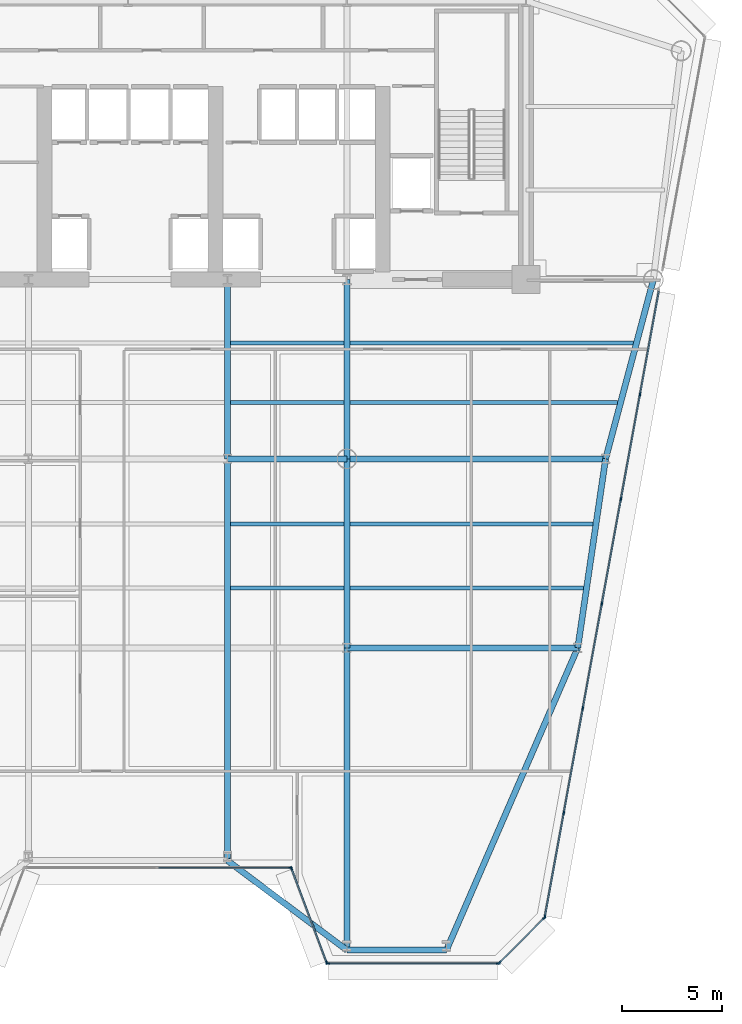
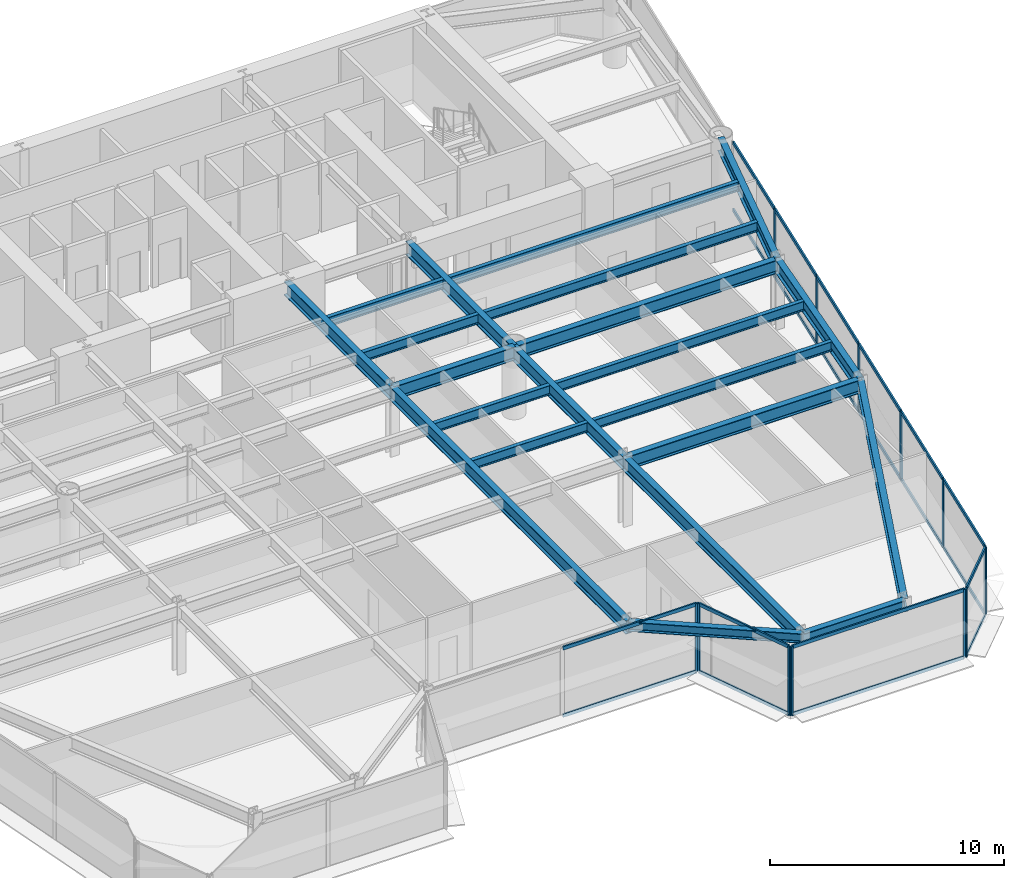
# One storey, part 4 of 14: 33 members, 21 beams, 5 elements without a shape of their own.
"""IFC4 building model written with IfcOpenShell, lengths in metres."""

from ifc_helpers import new_model, si_unit, direction, frame, origin, origin_2d, place, context, subcontext, project, spatial, rectangle, i_section, extrude, source, transform, mapped, material, layer, layer_set, material_profile, profile_set, type_object, element, aggregate, save


model = new_model("IFC4")

# Units and contexts
model_context = context("Model", 3, precision=1e-05, world=origin(), true_north=direction((0.0, 1.0)))
body_context = subcontext(model_context, "Body", "Model", "MODEL_VIEW")
ifc_project = project(units=[si_unit("LENGTHUNIT", "METRE"), si_unit("AREAUNIT", "SQUARE_METRE"), si_unit("VOLUMEUNIT", "CUBIC_METRE"), si_unit("PLANEANGLEUNIT", "RADIAN"), si_unit("MASSUNIT", "GRAM", prefix="KILO")], contexts=[model_context])

# Site, building, storey
site_placement = place(None, origin())
site = spatial("IfcSite", under=ifc_project, at=site_placement, CompositionType="ELEMENT")
building_placement = place(site_placement, origin())
building = spatial("IfcBuilding", under=site, at=building_placement, Name="Vaeldorn Concourse Tower", CompositionType="ELEMENT")
storey_placement = place(building_placement, frame((0.0, 0.0, 111.0)))
storey = spatial("IfcBuildingStorey", under=building, at=storey_placement, Name="L28", CompositionType="ELEMENT", Elevation=111.0)

# Beams
ifc_material_1 = material(Name="Steel S355", Category="steel")
ifc_material_profile_1 = material_profile(ifc_material_1, i_section(OverallWidth=0.199951171875, OverallDepth=0.5, WebThickness=0.01025390625, FlangeThickness=0.01611328125, FilletRadius=0.02099609375, at=origin_2d()), Name="IPE 500")
ifc_profile_set_1 = profile_set([ifc_material_profile_1], Name="Steel S355")
beam_type_1 = type_object("IfcBeamType", Name="BM-JS-IPE500", PredefinedType="JOIST", material=ifc_profile_set_1)
shared_shape_1 = source(origin(), body_context, "Body", "SweptSolid", [
    extrude(i_section(OverallWidth=0.199951171875, OverallDepth=0.5, WebThickness=0.01025390625, FlangeThickness=0.01611328125, FilletRadius=0.02099609375, at=origin_2d()), origin(), (0.0, 0.0, 1.0), 5.7001953125),
])
for number, where, z_axis, x_axis, name in (
    (1, (39.14990234375, 21.02001953125, 3.330078125), (1.0, 0.0, 0.0), (0.0, 1.0, 0.0), "Beam JS-L28-E2-210"),
    (2, (39.14990234375, 24.219970703125, 3.330078125), (1.0, 0.0, 0.0), (0.0, 1.0, 0.0), "Beam JS-L28-E2-242"),
    (3, (39.14990234375, 30.320068359375, 3.330078125), (1.0, 0.0, 0.0), (0.0, 1.0, 0.0), "Beam JS-L28-E2-303"),
    (4, (39.14990234375, 33.320068359375, 3.330078125), (1.0, 0.0, 0.0), (0.0, 1.0, 0.0), "Beam JS-L28-E2-333"),
):
    element("IfcBeam", number, at=place(storey_placement, frame(where, z_axis=z_axis, x_axis=x_axis)), inside=storey, type_object=beam_type_1, Name=name, PredefinedType="JOIST", context=body_context, shape_type="MappedRepresentation", body=[
        mapped(shared_shape_1, transform((0.0, 0.0, 0.0), scale=1.0)),
    ])
shared_shape_2 = source(origin(), body_context, "Body", "SweptSolid", [
    extrude(i_section(OverallWidth=0.199951171875, OverallDepth=0.5, WebThickness=0.01025390625, FlangeThickness=0.01611328125, FilletRadius=0.02099609375, at=origin_2d()), origin(), (0.0, 0.0, 1.0), 11.7451171875),
])
beam_1_placement = place(storey_placement, frame((45.14990234375, 21.02001953125, 3.330078125), z_axis=(1.0, 0.0, 0.0), x_axis=(0.0, 1.0, 0.0)))
element("IfcBeam", 5, at=beam_1_placement, inside=storey, type_object=beam_type_1, Name="Beam JS-L28-E1-210", PredefinedType="JOIST", context=body_context, shape_type="MappedRepresentation", body=[
    mapped(shared_shape_2, transform((0.0, 0.0, 0.0), scale=1.0)),
])
shared_shape_3 = source(origin(), body_context, "Body", "SweptSolid", [
    extrude(i_section(OverallWidth=0.199951171875, OverallDepth=0.5, WebThickness=0.01025390625, FlangeThickness=0.01611328125, FilletRadius=0.02099609375, at=origin_2d()), origin(), (0.0, 0.0, 1.0), 12.216796875),
])
beam_2_placement = place(storey_placement, frame((45.14990234375, 24.219970703125, 3.330078125), z_axis=(1.0, 0.0, 0.0), x_axis=(0.0, 1.0, 0.0)))
element("IfcBeam", 6, at=beam_2_placement, inside=storey, type_object=beam_type_1, Name="Beam JS-L28-E1-242", PredefinedType="JOIST", context=body_context, shape_type="MappedRepresentation", body=[
    mapped(shared_shape_3, transform((0.0, 0.0, 0.0), scale=1.0)),
])
shared_shape_4 = source(origin(), body_context, "Body", "SweptSolid", [
    extrude(i_section(OverallWidth=0.199951171875, OverallDepth=0.5, WebThickness=0.01025390625, FlangeThickness=0.01611328125, FilletRadius=0.02099609375, at=origin_2d()), origin(), (0.0, 0.0, 1.0), 13.4521484375),
])
beam_3_placement = place(storey_placement, frame((45.14990234375, 30.320068359375, 3.330078125), z_axis=(1.0, 0.0, 0.0), x_axis=(0.0, 1.0, 0.0)))
element("IfcBeam", 7, at=beam_3_placement, inside=storey, type_object=beam_type_1, Name="Beam JS-L28-E1-303", PredefinedType="JOIST", context=body_context, shape_type="MappedRepresentation", body=[
    mapped(shared_shape_4, transform((0.0, 0.0, 0.0), scale=1.0)),
])
shared_shape_5 = source(origin(), body_context, "Body", "SweptSolid", [
    extrude(i_section(OverallWidth=0.199951171875, OverallDepth=0.5, WebThickness=0.01025390625, FlangeThickness=0.01611328125, FilletRadius=0.02099609375, at=origin_2d()), origin(), (0.0, 0.0, 1.0), 14.252197265625),
])
beam_4_placement = place(storey_placement, frame((45.14990234375, 33.320068359375, 3.330078125), z_axis=(1.0, 0.0, 0.0), x_axis=(0.0, 1.0, 0.0)))
element("IfcBeam", 8, at=beam_4_placement, inside=storey, type_object=beam_type_1, Name="Beam JS-L28-E1-333", PredefinedType="JOIST", context=body_context, shape_type="MappedRepresentation", body=[
    mapped(shared_shape_5, transform((0.0, 0.0, 0.0), scale=1.0)),
])
ifc_material_profile_2 = material_profile(ifc_material_1, i_section(OverallWidth=0.300048828125, OverallDepth=0.699951171875, WebThickness=0.01708984375, FlangeThickness=0.031982421875, FilletRadius=0.027099609375, at=origin_2d()), Name="HEB 700")
ifc_profile_set_2 = profile_set([ifc_material_profile_2], Name="Steel S355")
beam_type_2 = type_object("IfcBeamType", Name="BM-PG-HEB700", PredefinedType="BEAM", material=ifc_profile_set_2)
shared_shape_6 = source(origin(), body_context, "Body", "SweptSolid", [
    extrude(i_section(OverallWidth=0.300048828125, OverallDepth=0.699951171875, WebThickness=0.01708984375, FlangeThickness=0.031982421875, FilletRadius=0.027099609375, at=origin_2d()), origin(), (0.0, 0.0, 1.0), 6.0),
])
beam_5_placement = place(storey_placement, frame((39.0, 27.5, 3.22998046875), z_axis=(1.0, 0.0, 0.0), x_axis=(0.0, 1.0, 0.0)))
element("IfcBeam", 9, at=beam_5_placement, inside=storey, type_object=beam_type_2, Name="Beam BM-L28-C-TW3-C-TW4", PredefinedType="BEAM", context=body_context, shape_type="MappedRepresentation", body=[
    mapped(shared_shape_6, transform((0.0, 0.0, 0.0), scale=1.0)),
])
shared_shape_7 = source(origin(), body_context, "Body", "SweptSolid", [
    extrude(i_section(OverallWidth=0.300048828125, OverallDepth=0.699951171875, WebThickness=0.01708984375, FlangeThickness=0.031982421875, FilletRadius=0.027099609375, at=origin_2d()), origin(), (0.0, 0.0, 1.0), 9.0),
])
for number, where, z_axis, x_axis, name in (
    (10, (39.0, 27.5, 3.22998046875), (0.0, 1.0, 0.0), (-1.0, 0.0, 0.0), "Beam BM-L28-C-TW3-C-FC4"),
    (11, (45.0, 27.5, 3.22998046875), (0.0, 1.0, 0.0), (-1.0, 0.0, 0.0), "Beam BM-L28-C-TW4-C-FC5"),
):
    element("IfcBeam", number, at=place(storey_placement, frame(where, z_axis=z_axis, x_axis=x_axis)), inside=storey, type_object=beam_type_2, Name=name, PredefinedType="BEAM", context=body_context, shape_type="MappedRepresentation", body=[
        mapped(shared_shape_7, transform((0.0, 0.0, 0.0), scale=1.0)),
    ])
shared_shape_8 = source(origin(), body_context, "Body", "SweptSolid", [
    extrude(i_section(OverallWidth=0.300048828125, OverallDepth=0.699951171875, WebThickness=0.01708984375, FlangeThickness=0.031982421875, FilletRadius=0.027099609375, at=origin_2d()), origin(), (0.0, 0.0, 1.0), 9.314453125),
])
beam_6_placement = place(storey_placement, frame((60.39990234375, 36.5, 3.22998046875), z_axis=(-0.257652862255, -0.966237549763, 0.0), x_axis=(0.966237549763, -0.257652862255, 0.0)))
element("IfcBeam", 12, at=beam_6_placement, inside=storey, type_object=beam_type_2, Name="Beam BM-L28-C-NE2-C-FLE1", PredefinedType="BEAM", context=body_context, shape_type="MappedRepresentation", body=[
    mapped(shared_shape_8, transform((0.0, 0.0, 0.0), scale=1.0)),
])
shared_shape_9 = source(origin(), body_context, "Body", "SweptSolid", [
    extrude(i_section(OverallWidth=0.300048828125, OverallDepth=0.699951171875, WebThickness=0.01708984375, FlangeThickness=0.031982421875, FilletRadius=0.027099609375, at=origin_2d()), origin(), (0.0, 0.0, 1.0), 13.0),
])
beam_7_placement = place(storey_placement, frame((45.0, 27.5, 3.22998046875), z_axis=(1.0, 0.0, 0.0), x_axis=(0.0, 1.0, 0.0)))
element("IfcBeam", 13, at=beam_7_placement, inside=storey, type_object=beam_type_2, Name="Beam BM-L28-C-TW4-C-FLE1", PredefinedType="BEAM", context=body_context, shape_type="MappedRepresentation", body=[
    mapped(shared_shape_9, transform((0.0, 0.0, 0.0), scale=1.0)),
])
ifc_material_profile_3 = material_profile(ifc_material_1, i_section(OverallWidth=0.300048828125, OverallDepth=0.5, WebThickness=0.014404296875, FlangeThickness=0.028076171875, FilletRadius=0.027099609375, at=origin_2d()), Name="HEB 500")
ifc_profile_set_3 = profile_set([ifc_material_profile_3], Name="Steel S355")
beam_type_3 = type_object("IfcBeamType", Name="BM-SP-HEB500", PredefinedType="SPANDREL", material=ifc_profile_set_3)
shared_shape_10 = source(origin(), body_context, "Body", "SweptSolid", [
    extrude(i_section(OverallWidth=0.300048828125, OverallDepth=0.5, WebThickness=0.014404296875, FlangeThickness=0.028076171875, FilletRadius=0.027099609375, at=origin_2d()), origin(), (0.0, 0.0, 1.0), 5.0),
])
beam_8_placement = place(storey_placement, frame((45.0, 2.8125, 3.330078125), z_axis=(1.0, 0.0, 0.0), x_axis=(0.0, 1.0, 0.0)))
element("IfcBeam", 14, at=beam_8_placement, inside=storey, type_object=beam_type_3, Name="Beam BM-L28-C-SF5-C-SF6", PredefinedType="SPANDREL", context=body_context, shape_type="MappedRepresentation", body=[
    mapped(shared_shape_10, transform((0.0, 0.0, 0.0), scale=1.0)),
])
shared_shape_11 = source(origin(), body_context, "Body", "SweptSolid", [
    extrude(i_section(OverallWidth=0.300048828125, OverallDepth=0.5, WebThickness=0.014404296875, FlangeThickness=0.028076171875, FilletRadius=0.027099609375, at=origin_2d()), origin(), (0.0, 0.0, 1.0), 7.5),
])
beam_9_placement = place(storey_placement, frame((39.0, 7.3125, 3.330078125), z_axis=(0.8, -0.6, 0.0), x_axis=(0.6, 0.8, 0.0)))
element("IfcBeam", 15, at=beam_9_placement, inside=storey, type_object=beam_type_3, Name="Beam BM-L28-C-SF4-C-SF5", PredefinedType="SPANDREL", context=body_context, shape_type="MappedRepresentation", body=[
    mapped(shared_shape_11, transform((0.0, 0.0, 0.0), scale=1.0)),
])
shared_shape_12 = source(origin(), body_context, "Body", "SweptSolid", [
    extrude(i_section(OverallWidth=0.300048828125, OverallDepth=0.699951171875, WebThickness=0.01708984375, FlangeThickness=0.031982421875, FilletRadius=0.027099609375, at=origin_2d()), origin(), (0.0, 0.0, 1.0), 9.6025390625),
])
beam_10_placement = place(storey_placement, frame((58.0, 27.5, 3.22998046875), z_axis=(-0.145783835977, -0.989316467652, 0.0), x_axis=(0.989316467652, -0.145783835977, 0.0)))
element("IfcBeam", 16, at=beam_10_placement, inside=storey, type_object=beam_type_2, Name="Beam BM-L28-C-FLE1-C-FLE2", PredefinedType="BEAM", context=body_context, shape_type="MappedRepresentation", body=[
    mapped(shared_shape_12, transform((0.0, 0.0, 0.0), scale=1.0)),
])
shared_shape_13 = source(origin(), body_context, "Body", "SweptSolid", [
    extrude(i_section(OverallWidth=0.300048828125, OverallDepth=0.699951171875, WebThickness=0.01708984375, FlangeThickness=0.031982421875, FilletRadius=0.027099609375, at=origin_2d()), origin(), (0.0, 0.0, 1.0), 11.60009765625),
])
beam_11_placement = place(storey_placement, frame((45.0, 18.0, 3.22998046875), z_axis=(1.0, 0.0, 0.0), x_axis=(0.0, 1.0, 0.0)))
element("IfcBeam", 17, at=beam_11_placement, inside=storey, type_object=beam_type_2, Name="Beam BM-L28-C-TW6-C-FLE2", PredefinedType="BEAM", context=body_context, shape_type="MappedRepresentation", body=[
    mapped(shared_shape_13, transform((0.0, 0.0, 0.0), scale=1.0)),
])
shared_shape_14 = source(origin(), body_context, "Body", "SweptSolid", [
    extrude(i_section(OverallWidth=0.300048828125, OverallDepth=0.699951171875, WebThickness=0.01708984375, FlangeThickness=0.031982421875, FilletRadius=0.027099609375, at=origin_2d()), origin(), (0.0, 0.0, 1.0), 9.5),
])
beam_12_placement = place(storey_placement, frame((45.0, 18.0, 3.22998046875), z_axis=(0.0, 1.0, 0.0), x_axis=(-1.0, 0.0, 0.0)))
element("IfcBeam", 18, at=beam_12_placement, inside=storey, type_object=beam_type_2, Name="Beam BM-L28-C-TW6-C-TW4", PredefinedType="BEAM", context=body_context, shape_type="MappedRepresentation", body=[
    mapped(shared_shape_14, transform((0.0, 0.0, 0.0), scale=1.0)),
])
shared_shape_15 = source(origin(), body_context, "Body", "SweptSolid", [
    extrude(i_section(OverallWidth=0.300048828125, OverallDepth=0.699951171875, WebThickness=0.01708984375, FlangeThickness=0.031982421875, FilletRadius=0.027099609375, at=origin_2d()), origin(), (0.0, 0.0, 1.0), 16.5595703125),
])
beam_13_placement = place(storey_placement, frame((50.0, 2.8125, 3.22998046875), z_axis=(0.398565454531, 0.917139890341, 0.0), x_axis=(-0.917139890341, 0.398565454531, 0.0)))
element("IfcBeam", 19, at=beam_13_placement, inside=storey, type_object=beam_type_2, Name="Beam BM-L28-C-SF6-C-FLE2", PredefinedType="BEAM", context=body_context, shape_type="MappedRepresentation", body=[
    mapped(shared_shape_15, transform((0.0, 0.0, 0.0), scale=1.0)),
])
shared_shape_16 = source(origin(), body_context, "Body", "SweptSolid", [
    extrude(i_section(OverallWidth=0.300048828125, OverallDepth=0.699951171875, WebThickness=0.01708984375, FlangeThickness=0.031982421875, FilletRadius=0.027099609375, at=origin_2d()), origin(), (0.0, 0.0, 1.0), 15.1875),
])
beam_14_placement = place(storey_placement, frame((45.0, 2.8125, 3.22998046875), z_axis=(0.0, 1.0, 0.0), x_axis=(-1.0, 0.0, 0.0)))
element("IfcBeam", 20, at=beam_14_placement, inside=storey, type_object=beam_type_2, Name="Beam BM-L28-C-SF5-C-TW6", PredefinedType="BEAM", context=body_context, shape_type="MappedRepresentation", body=[
    mapped(shared_shape_16, transform((0.0, 0.0, 0.0), scale=1.0)),
])
shared_shape_17 = source(origin(), body_context, "Body", "SweptSolid", [
    extrude(i_section(OverallWidth=0.300048828125, OverallDepth=0.699951171875, WebThickness=0.01708984375, FlangeThickness=0.031982421875, FilletRadius=0.027099609375, at=origin_2d()), origin(), (0.0, 0.0, 1.0), 20.1875),
])
beam_15_placement = place(storey_placement, frame((39.0, 7.3125, 3.22998046875), z_axis=(0.0, 1.0, 0.0), x_axis=(-1.0, 0.0, 0.0)))
element("IfcBeam", 21, at=beam_15_placement, inside=storey, type_object=beam_type_2, Name="Beam BM-L28-C-SF4-C-TW3", PredefinedType="BEAM", context=body_context, shape_type="MappedRepresentation", body=[
    mapped(shared_shape_17, transform((0.0, 0.0, 0.0), scale=1.0)),
])

# Curtain wall, members
ifc_material_2 = material(Name="Anodised Bronze Aluminium", Category="aluminium")
ifc_layer = layer(ifc_material_2, 0.199951171875)
ifc_layer_set = layer_set([ifc_layer], Name="Anodised Bronze Aluminium")
curtain_wall_type = type_object("IfcCurtainWallType", Name="CW-SYS-02", PredefinedType="NOTDEFINED", material=ifc_layer_set)
curtain_wall_1_placement = place(storey_placement, origin())
curtain_wall_1 = element("IfcCurtainWall", 22, at=curtain_wall_1_placement, inside=storey, type_object=curtain_wall_type, Name="Unitised Curtain Wall CW-L28-E03-1", PredefinedType="NOTDEFINED")
ifc_material_profile_4 = material_profile(ifc_material_2, rectangle(XDim=0.074951171875, YDim=0.179931640625, at=origin_2d()), Name="CWT 75x180")
ifc_profile_set_4 = profile_set([ifc_material_profile_4], Name="Anodised Bronze Aluminium")
member_type_1 = type_object("IfcMemberType", Name="CWT-BRONZE-180", PredefinedType="USERDEFINED", material=ifc_profile_set_4)
shared_shape_18 = source(origin(), body_context, "Body", "SweptSolid", [
    extrude(rectangle(XDim=0.074951171875, YDim=0.179931640625, at=origin_2d()), origin(), (0.0, 0.0, 1.0), 6.58740234375),
])
member_1_placement = place(storey_placement, frame((35.53759765625, 6.95166015625, 0.03759765625), z_axis=(1.0, 0.0, 0.0), x_axis=(0.0, 1.0, 0.0)))
member_1 = element("IfcMember", 23, at=member_1_placement, type_object=member_type_1, Name="CW-02 transom 2.1", ObjectType="TRANSOM", PredefinedType="USERDEFINED", context=body_context, shape_type="MappedRepresentation", body=[
    mapped(shared_shape_18, transform((0.0, 0.0, 0.0), scale=1.0)),
])
member_2_placement = place(storey_placement, frame((35.53759765625, 6.95166015625, 3.54248046875), z_axis=(1.0, 0.0, 0.0), x_axis=(0.0, 1.0, 0.0)))
member_2 = element("IfcMember", 24, at=member_2_placement, type_object=member_type_1, Name="CW-02 transom 2.2", ObjectType="TRANSOM", PredefinedType="USERDEFINED", context=body_context, shape_type="MappedRepresentation", body=[
    mapped(shared_shape_18, transform((0.0, 0.0, 0.0), scale=1.0)),
])

curtain_wall_2_placement = place(storey_placement, origin())
curtain_wall_2 = element("IfcCurtainWall", 25, at=curtain_wall_2_placement, inside=storey, type_object=curtain_wall_type, Name="Unitised Curtain Wall CW-L28-E04-1", PredefinedType="NOTDEFINED")
shared_shape_19 = source(origin(), body_context, "Body", "SweptSolid", [
    extrude(rectangle(XDim=0.074951171875, YDim=0.179931640625, at=origin_2d()), origin(), (0.0, 0.0, 1.0), 4.9765625),
])
member_3_placement = place(storey_placement, frame((42.226318359375, 6.881591796875, 0.03759765625), z_axis=(0.351112688987, -0.936333209724, 0.0), x_axis=(0.936333209724, 0.351112688987, 0.0)))
member_3 = element("IfcMember", 26, at=member_3_placement, type_object=member_type_1, Name="CW-02 transom 1.1", ObjectType="TRANSOM", PredefinedType="USERDEFINED", context=body_context, shape_type="MappedRepresentation", body=[
    mapped(shared_shape_19, transform((0.0, 0.0, 0.0), scale=1.0)),
])
member_4_placement = place(storey_placement, frame((42.226318359375, 6.881591796875, 3.54248046875), z_axis=(0.351112688987, -0.936333209724, 0.0), x_axis=(0.936333209724, 0.351112688987, 0.0)))
member_4 = element("IfcMember", 27, at=member_4_placement, type_object=member_type_1, Name="CW-02 transom 1.2", ObjectType="TRANSOM", PredefinedType="USERDEFINED", context=body_context, shape_type="MappedRepresentation", body=[
    mapped(shared_shape_19, transform((0.0, 0.0, 0.0), scale=1.0)),
])

curtain_wall_3_placement = place(storey_placement, origin())
curtain_wall_3 = element("IfcCurtainWall", 28, at=curtain_wall_3_placement, inside=storey, type_object=curtain_wall_type, Name="Unitised Curtain Wall CW-L28-E06-1", PredefinedType="NOTDEFINED")
shared_shape_20 = source(origin(), body_context, "Body", "SweptSolid", [
    extrude(rectangle(XDim=0.074951171875, YDim=0.179931640625, at=origin_2d()), origin(), (0.0, 0.0, 1.0), 3.1025390625),
])
member_5_placement = place(storey_placement, frame((52.693115234375, 2.204833984375, 0.03759765625), z_axis=(0.707106781187, 0.707106781187, 0.0), x_axis=(-0.707106781187, 0.707106781187, 0.0)))
member_5 = element("IfcMember", 29, at=member_5_placement, type_object=member_type_1, Name="CW-02 transom 1.1", ObjectType="TRANSOM", PredefinedType="USERDEFINED", context=body_context, shape_type="MappedRepresentation", body=[
    mapped(shared_shape_20, transform((0.0, 0.0, 0.0), scale=1.0)),
])
member_6_placement = place(storey_placement, frame((52.693115234375, 2.204833984375, 3.54248046875), z_axis=(0.707106781187, 0.707106781187, 0.0), x_axis=(-0.707106781187, 0.707106781187, 0.0)))
member_6 = element("IfcMember", 30, at=member_6_placement, type_object=member_type_1, Name="CW-02 transom 1.2", ObjectType="TRANSOM", PredefinedType="USERDEFINED", context=body_context, shape_type="MappedRepresentation", body=[
    mapped(shared_shape_20, transform((0.0, 0.0, 0.0), scale=1.0)),
])

curtain_wall_4_placement = place(storey_placement, origin())
curtain_wall_4 = element("IfcCurtainWall", 31, at=curtain_wall_4_placement, inside=storey, type_object=curtain_wall_type, Name="Unitised Curtain Wall CW-L28-E05-1", PredefinedType="NOTDEFINED")
shared_shape_21 = source(origin(), body_context, "Body", "SweptSolid", [
    extrude(rectangle(XDim=0.074951171875, YDim=0.179931640625, at=origin_2d()), origin(), (0.0, 0.0, 1.0), 8.489990234375),
])
member_7_placement = place(storey_placement, frame((44.074951171875, 2.151611328125, 0.03759765625), z_axis=(1.0, 0.0, 0.0), x_axis=(0.0, 1.0, 0.0)))
member_7 = element("IfcMember", 32, at=member_7_placement, type_object=member_type_1, Name="CW-02 transom 1.1", ObjectType="TRANSOM", PredefinedType="USERDEFINED", context=body_context, shape_type="MappedRepresentation", body=[
    mapped(shared_shape_21, transform((0.0, 0.0, 0.0), scale=1.0)),
])
member_8_placement = place(storey_placement, frame((44.074951171875, 2.151611328125, 3.54248046875), z_axis=(1.0, 0.0, 0.0), x_axis=(0.0, 1.0, 0.0)))
member_8 = element("IfcMember", 33, at=member_8_placement, type_object=member_type_1, Name="CW-02 transom 1.2", ObjectType="TRANSOM", PredefinedType="USERDEFINED", context=body_context, shape_type="MappedRepresentation", body=[
    mapped(shared_shape_21, transform((0.0, 0.0, 0.0), scale=1.0)),
])

# Member
ifc_material_profile_5 = material_profile(ifc_material_2, rectangle(XDim=0.074951171875, YDim=0.18994140625, at=origin_2d()), Name="CWM 75x190")
ifc_profile_set_5 = profile_set([ifc_material_profile_5], Name="Anodised Bronze Aluminium")
member_type_2 = type_object("IfcMemberType", Name="CWM-BRONZE-190", PredefinedType="MULLION", material=ifc_profile_set_5)
shared_shape_22 = source(origin(), body_context, "Body", "SweptSolid", [
    extrude(rectangle(XDim=0.074951171875, YDim=0.18994140625, at=origin_2d()), origin(), (0.0, 0.0, 1.0), 3.580078125),
])
member_9_placement = place(storey_placement, frame((42.16259765625, 6.95166015625, 0.0), z_axis=(0.0, 0.0, 1.0), x_axis=(0.0, 1.0, 0.0)))
member_9 = element("IfcMember", 34, at=member_9_placement, type_object=member_type_2, Name="CW-02 mullion 3", PredefinedType="MULLION", context=body_context, shape_type="MappedRepresentation", body=[
    mapped(shared_shape_22, transform((0.0, 0.0, 0.0), scale=1.0)),
])

aggregate(curtain_wall_1, [member_9, member_1, member_2])

member_10_placement = place(storey_placement, frame((42.213134765625, 6.91650390625, 0.0), z_axis=(0.0, 0.0, 1.0), x_axis=(0.936329177566, 0.351123441595, 0.0)))
member_10 = element("IfcMember", 35, at=member_10_placement, type_object=member_type_2, Name="CW-02 mullion 1", PredefinedType="MULLION", context=body_context, shape_type="MappedRepresentation", body=[
    mapped(shared_shape_22, transform((0.0, 0.0, 0.0), scale=1.0)),
])

member_11_placement = place(storey_placement, frame((43.98681640625, 2.186767578125, 0.0), z_axis=(0.0, 0.0, 1.0), x_axis=(0.936329177566, 0.351123441595, 0.0)))
member_11 = element("IfcMember", 36, at=member_11_placement, type_object=member_type_2, Name="CW-02 mullion 2", PredefinedType="MULLION", context=body_context, shape_type="MappedRepresentation", body=[
    mapped(shared_shape_22, transform((0.0, 0.0, 0.0), scale=1.0)),
])

aggregate(curtain_wall_2, [member_10, member_11, member_3, member_4])

member_12_placement = place(storey_placement, frame((44.03759765625, 2.151611328125, 0.0), z_axis=(0.0, 0.0, 1.0), x_axis=(0.0, 1.0, 0.0)))
member_12 = element("IfcMember", 37, at=member_12_placement, type_object=member_type_2, Name="CW-02 mullion 1", PredefinedType="MULLION", context=body_context, shape_type="MappedRepresentation", body=[
    mapped(shared_shape_22, transform((0.0, 0.0, 0.0), scale=1.0)),
])

member_13_placement = place(storey_placement, frame((52.6025390625, 2.151611328125, 0.0), z_axis=(0.0, 0.0, 1.0), x_axis=(0.0, 1.0, 0.0)))
member_13 = element("IfcMember", 38, at=member_13_placement, type_object=member_type_2, Name="CW-02 mullion 2", PredefinedType="MULLION", context=body_context, shape_type="MappedRepresentation", body=[
    mapped(shared_shape_22, transform((0.0, 0.0, 0.0), scale=1.0)),
])

aggregate(curtain_wall_4, [member_12, member_13, member_7, member_8])

member_14_placement = place(storey_placement, frame((52.66650390625, 2.17822265625, 0.0), z_axis=(0.0, 0.0, 1.0), x_axis=(-0.707106781187, 0.707106781187, 0.0)))
member_14 = element("IfcMember", 39, at=member_14_placement, type_object=member_type_2, Name="CW-02 mullion 1", PredefinedType="MULLION", context=body_context, shape_type="MappedRepresentation", body=[
    mapped(shared_shape_22, transform((0.0, 0.0, 0.0), scale=1.0)),
])

member_15_placement = place(storey_placement, frame((54.91357421875, 4.42529296875, 0.0), z_axis=(0.0, 0.0, 1.0), x_axis=(-0.707106781187, 0.707106781187, 0.0)))
member_15 = element("IfcMember", 40, at=member_15_placement, type_object=member_type_2, Name="CW-02 mullion 2", PredefinedType="MULLION", context=body_context, shape_type="MappedRepresentation", body=[
    mapped(shared_shape_22, transform((0.0, 0.0, 0.0), scale=1.0)),
])

aggregate(curtain_wall_3, [member_14, member_15, member_5, member_6])

# Curtain wall, members
curtain_wall_5_placement = place(storey_placement, origin())
curtain_wall_5 = element("IfcCurtainWall", 41, at=curtain_wall_5_placement, inside=storey, type_object=curtain_wall_type, Name="Unitised Curtain Wall CW-L28-E07-1", PredefinedType="NOTDEFINED")
member_16_placement = place(storey_placement, frame((54.94677734375, 4.488525390625, 0.0), z_axis=(0.0, 0.0, 1.0), x_axis=(-0.983811547347, 0.179206136352, 0.0)))
member_16 = element("IfcMember", 42, at=member_16_placement, type_object=member_type_2, Name="CW-02 mullion 1", PredefinedType="MULLION", context=body_context, shape_type="MappedRepresentation", body=[
    mapped(shared_shape_22, transform((0.0, 0.0, 0.0), scale=1.0)),
])
member_17_placement = place(storey_placement, frame((55.897216796875, 9.706787109375, 0.0), z_axis=(0.0, 0.0, 1.0), x_axis=(-0.983811547347, 0.179206136352, 0.0)))
member_17 = element("IfcMember", 43, at=member_17_placement, type_object=member_type_2, Name="CW-02 mullion 2", PredefinedType="MULLION", context=body_context, shape_type="MappedRepresentation", body=[
    mapped(shared_shape_22, transform((0.0, 0.0, 0.0), scale=1.0)),
])
member_18_placement = place(storey_placement, frame((56.8544921875, 14.9619140625, 0.0), z_axis=(0.0, 0.0, 1.0), x_axis=(-0.983811547347, 0.179206136352, 0.0)))
member_18 = element("IfcMember", 44, at=member_18_placement, type_object=member_type_2, Name="CW-02 mullion 3", PredefinedType="MULLION", context=body_context, shape_type="MappedRepresentation", body=[
    mapped(shared_shape_22, transform((0.0, 0.0, 0.0), scale=1.0)),
])
member_19_placement = place(storey_placement, frame((57.811767578125, 20.216796875, 0.0), z_axis=(0.0, 0.0, 1.0), x_axis=(-0.983811547347, 0.179206136352, 0.0)))
member_19 = element("IfcMember", 45, at=member_19_placement, type_object=member_type_2, Name="CW-02 mullion 4", PredefinedType="MULLION", context=body_context, shape_type="MappedRepresentation", body=[
    mapped(shared_shape_22, transform((0.0, 0.0, 0.0), scale=1.0)),
])
member_20_placement = place(storey_placement, frame((58.76904296875, 25.471923828125, 0.0), z_axis=(0.0, 0.0, 1.0), x_axis=(-0.983811547347, 0.179206136352, 0.0)))
member_20 = element("IfcMember", 46, at=member_20_placement, type_object=member_type_2, Name="CW-02 mullion 5", PredefinedType="MULLION", context=body_context, shape_type="MappedRepresentation", body=[
    mapped(shared_shape_22, transform((0.0, 0.0, 0.0), scale=1.0)),
])
member_21_placement = place(storey_placement, frame((59.72607421875, 30.72705078125, 0.0), z_axis=(0.0, 0.0, 1.0), x_axis=(-0.983811547347, 0.179206136352, 0.0)))
member_21 = element("IfcMember", 47, at=member_21_placement, type_object=member_type_2, Name="CW-02 mullion 6", PredefinedType="MULLION", context=body_context, shape_type="MappedRepresentation", body=[
    mapped(shared_shape_22, transform((0.0, 0.0, 0.0), scale=1.0)),
])
shared_shape_23 = source(origin(), body_context, "Body", "SweptSolid", [
    extrude(rectangle(XDim=0.074951171875, YDim=0.179931640625, at=origin_2d()), origin(), (0.0, 0.0, 1.0), 5.229248046875),
])
member_22_placement = place(storey_placement, frame((54.953369140625, 4.525390625, 0.03759765625), z_axis=(0.179234652041, 0.983806352647, 0.0), x_axis=(-0.983806352647, 0.179234652041, 0.0)))
member_22 = element("IfcMember", 48, at=member_22_placement, type_object=member_type_1, Name="CW-02 transom 1.1", ObjectType="TRANSOM", PredefinedType="USERDEFINED", context=body_context, shape_type="MappedRepresentation", body=[
    mapped(shared_shape_23, transform((0.0, 0.0, 0.0), scale=1.0)),
])
member_23_placement = place(storey_placement, frame((54.953369140625, 4.525390625, 3.54248046875), z_axis=(0.179234652041, 0.983806352647, 0.0), x_axis=(-0.983806352647, 0.179234652041, 0.0)))
member_23 = element("IfcMember", 49, at=member_23_placement, type_object=member_type_1, Name="CW-02 transom 1.2", ObjectType="TRANSOM", PredefinedType="USERDEFINED", context=body_context, shape_type="MappedRepresentation", body=[
    mapped(shared_shape_23, transform((0.0, 0.0, 0.0), scale=1.0)),
])
shared_shape_24 = source(origin(), body_context, "Body", "SweptSolid", [
    extrude(rectangle(XDim=0.074951171875, YDim=0.179931640625, at=origin_2d()), origin(), (0.0, 0.0, 1.0), 5.266357421875),
])
member_24_placement = place(storey_placement, frame((55.904052734375, 9.74365234375, 0.03759765625), z_axis=(0.179175077507, 0.983817204363, 0.0), x_axis=(-0.983817204363, 0.179175077507, 0.0)))
member_24 = element("IfcMember", 50, at=member_24_placement, type_object=member_type_1, Name="CW-02 transom 2.1", ObjectType="TRANSOM", PredefinedType="USERDEFINED", context=body_context, shape_type="MappedRepresentation", body=[
    mapped(shared_shape_24, transform((0.0, 0.0, 0.0), scale=1.0)),
])
member_25_placement = place(storey_placement, frame((55.904052734375, 9.74365234375, 3.54248046875), z_axis=(0.179175077507, 0.983817204363, 0.0), x_axis=(-0.983817204363, 0.179175077507, 0.0)))
member_25 = element("IfcMember", 51, at=member_25_placement, type_object=member_type_1, Name="CW-02 transom 2.2", ObjectType="TRANSOM", PredefinedType="USERDEFINED", context=body_context, shape_type="MappedRepresentation", body=[
    mapped(shared_shape_24, transform((0.0, 0.0, 0.0), scale=1.0)),
])
member_26_placement = place(storey_placement, frame((56.861083984375, 14.998779296875, 0.03759765625), z_axis=(0.179219947037, 0.983809031563, 0.0), x_axis=(-0.983809031563, 0.179219947037, 0.0)))
member_26 = element("IfcMember", 52, at=member_26_placement, type_object=member_type_1, Name="CW-02 transom 3.1", ObjectType="TRANSOM", PredefinedType="USERDEFINED", context=body_context, shape_type="MappedRepresentation", body=[
    mapped(shared_shape_24, transform((0.0, 0.0, 0.0), scale=1.0)),
])
member_27_placement = place(storey_placement, frame((56.861083984375, 14.998779296875, 3.54248046875), z_axis=(0.179219947037, 0.983809031563, 0.0), x_axis=(-0.983809031563, 0.179219947037, 0.0)))
member_27 = element("IfcMember", 53, at=member_27_placement, type_object=member_type_1, Name="CW-02 transom 3.2", ObjectType="TRANSOM", PredefinedType="USERDEFINED", context=body_context, shape_type="MappedRepresentation", body=[
    mapped(shared_shape_24, transform((0.0, 0.0, 0.0), scale=1.0)),
])
member_28_placement = place(storey_placement, frame((58.775634765625, 25.5087890625, 0.03759765625), z_axis=(0.179219947037, 0.983809031563, 0.0), x_axis=(-0.983809031563, 0.179219947037, 0.0)))
member_28 = element("IfcMember", 54, at=member_28_placement, type_object=member_type_1, Name="CW-02 transom 5.1", ObjectType="TRANSOM", PredefinedType="USERDEFINED", context=body_context, shape_type="MappedRepresentation", body=[
    mapped(shared_shape_24, transform((0.0, 0.0, 0.0), scale=1.0)),
])
member_29_placement = place(storey_placement, frame((58.775634765625, 25.5087890625, 3.54248046875), z_axis=(0.179219947037, 0.983809031563, 0.0), x_axis=(-0.983809031563, 0.179219947037, 0.0)))
member_29 = element("IfcMember", 55, at=member_29_placement, type_object=member_type_1, Name="CW-02 transom 5.2", ObjectType="TRANSOM", PredefinedType="USERDEFINED", context=body_context, shape_type="MappedRepresentation", body=[
    mapped(shared_shape_24, transform((0.0, 0.0, 0.0), scale=1.0)),
])
shared_shape_25 = source(origin(), body_context, "Body", "SweptSolid", [
    extrude(rectangle(XDim=0.074951171875, YDim=0.179931640625, at=origin_2d()), origin(), (0.0, 0.0, 1.0), 5.2666015625),
])
member_30_placement = place(storey_placement, frame((57.818359375, 20.253662109375, 0.03759765625), z_axis=(0.179211773648, 0.983810520469, 0.0), x_axis=(-0.983810520469, 0.179211773648, 0.0)))
member_30 = element("IfcMember", 56, at=member_30_placement, type_object=member_type_1, Name="CW-02 transom 4.1", ObjectType="TRANSOM", PredefinedType="USERDEFINED", context=body_context, shape_type="MappedRepresentation", body=[
    mapped(shared_shape_25, transform((0.0, 0.0, 0.0), scale=1.0)),
])
member_31_placement = place(storey_placement, frame((57.818359375, 20.253662109375, 3.54248046875), z_axis=(0.179211773648, 0.983810520469, 0.0), x_axis=(-0.983810520469, 0.179211773648, 0.0)))
member_31 = element("IfcMember", 57, at=member_31_placement, type_object=member_type_1, Name="CW-02 transom 4.2", ObjectType="TRANSOM", PredefinedType="USERDEFINED", context=body_context, shape_type="MappedRepresentation", body=[
    mapped(shared_shape_25, transform((0.0, 0.0, 0.0), scale=1.0)),
])
shared_shape_26 = source(origin(), body_context, "Body", "SweptSolid", [
    extrude(rectangle(XDim=0.074951171875, YDim=0.179931640625, at=origin_2d()), origin(), (0.0, 0.0, 1.0), 5.22900390625),
])
member_32_placement = place(storey_placement, frame((59.73291015625, 30.763916015625, 0.03759765625), z_axis=(0.17919769448, 0.983813085039, 0.0), x_axis=(-0.983813085039, 0.17919769448, 0.0)))
member_32 = element("IfcMember", 58, at=member_32_placement, type_object=member_type_1, Name="CW-02 transom 6.1", ObjectType="TRANSOM", PredefinedType="USERDEFINED", context=body_context, shape_type="MappedRepresentation", body=[
    mapped(shared_shape_26, transform((0.0, 0.0, 0.0), scale=1.0)),
])
member_33_placement = place(storey_placement, frame((59.73291015625, 30.763916015625, 3.54248046875), z_axis=(0.17919769448, 0.983813085039, 0.0), x_axis=(-0.983813085039, 0.17919769448, 0.0)))
member_33 = element("IfcMember", 59, at=member_33_placement, type_object=member_type_1, Name="CW-02 transom 6.2", ObjectType="TRANSOM", PredefinedType="USERDEFINED", context=body_context, shape_type="MappedRepresentation", body=[
    mapped(shared_shape_26, transform((0.0, 0.0, 0.0), scale=1.0)),
])
aggregate(curtain_wall_5, [member_16, member_17, member_18, member_19, member_20, member_21, member_22, member_23, member_24, member_25, member_26, member_27, member_30, member_31, member_28, member_29, member_32, member_33])

save(model, "model.ifc")
